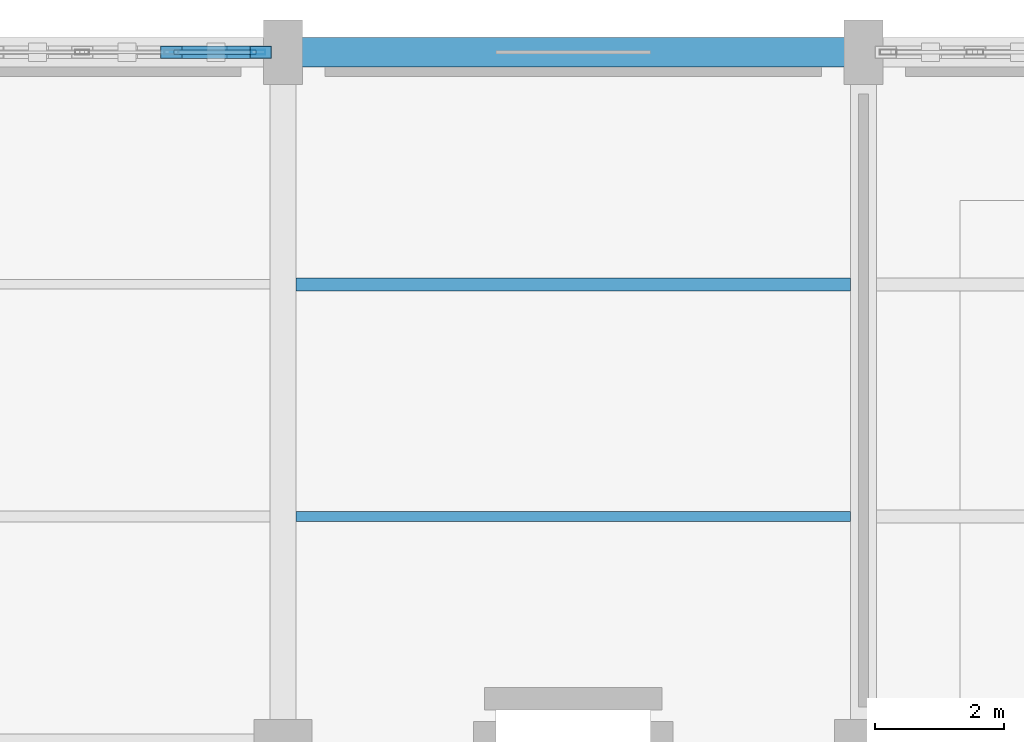
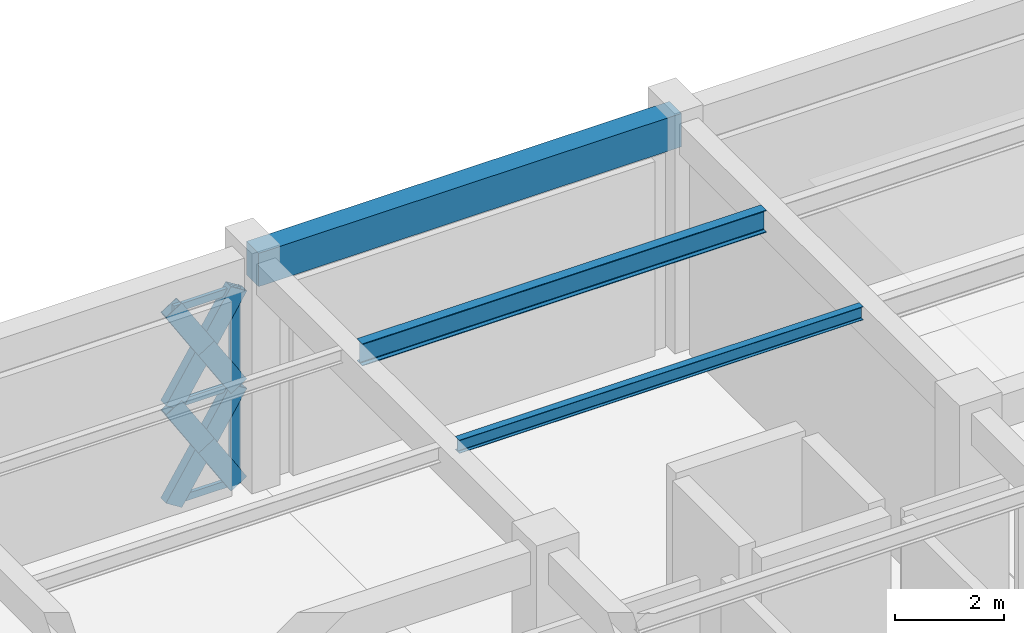
# One storey, part 90 of 166: 10 members, 3 beams, 1 element without a shape of its own.
"""IFC4 building model written with IfcOpenShell, lengths in metres."""

from ifc_helpers import new_model, si_unit, direction, frame, origin, origin_2d, place, context, subcontext, project, spatial, rectangle, hollow_rectangle, i_section, extrude, material, material_profile, profile_set, type_object, element, aggregate, save


model = new_model("IFC4")

# Units and contexts
model_context = context("Model", 3, precision=1e-05, world=origin(), true_north=direction((0.0, 1.0)))
body_context = subcontext(model_context, "Body", "Model", "MODEL_VIEW")
ifc_project = project(units=[si_unit("LENGTHUNIT", "METRE"), si_unit("AREAUNIT", "SQUARE_METRE"), si_unit("VOLUMEUNIT", "CUBIC_METRE"), si_unit("PLANEANGLEUNIT", "RADIAN"), si_unit("MASSUNIT", "GRAM", prefix="KILO")], contexts=[model_context])

# Site, building, storey
site_placement = place(None, origin())
site = spatial("IfcSite", under=ifc_project, at=site_placement, CompositionType="ELEMENT")
building_placement = place(site_placement, origin())
building = spatial("IfcBuilding", under=site, at=building_placement, Name="Haizhuo Lancet Aquarium", CompositionType="ELEMENT")
storey_placement = place(building_placement, frame((0.0, 0.0, 5.39990234375)))
storey = spatial("IfcBuildingStorey", under=building, at=storey_placement, Name="L01", CompositionType="ELEMENT", Elevation=5.39990234375)

# Beam
ifc_material_1 = material(Name="Concrete C40/50", Category="concrete")
ifc_material_profile_1 = material_profile(ifc_material_1, rectangle(XDim=0.449951171875, YDim=0.75, at=origin_2d()), Name="RC-BM 450x750")
ifc_profile_set_1 = profile_set([ifc_material_profile_1], Name="Concrete C40/50")
beam_type_1 = type_object("IfcBeamType", Name="BM-RC-450x750", PredefinedType="BEAM", material=ifc_profile_set_1)
beam_1_placement = place(storey_placement, frame((-9.0, 55.800048828125, 4.76513671875), z_axis=(1.0, 0.0, 0.0), x_axis=(0.0, 1.0, 0.0)))
element("IfcBeam", 1, at=beam_1_placement, inside=storey, type_object=beam_type_1, Name="L01 V5 primary girder BM-L01-V5-015", PredefinedType="BEAM", context=body_context, shape_type="SweptSolid", body=[
    extrude(rectangle(XDim=0.449951171875, YDim=0.75, at=origin_2d()), origin(), (0.0, 0.0, 1.0), 9.0),
])

# Curtain wall, members
ifc_material_2 = material(Name="Aluminium 6063-T6", Category="aluminium")
curtain_wall_type = type_object("IfcCurtainWallType", Name="CWD-8310x4390", PredefinedType="NOTDEFINED", material=ifc_material_2)
curtain_wall_placement = place(storey_placement, origin())
curtain_wall = element("IfcCurtainWall", 2, at=curtain_wall_placement, inside=storey, type_object=curtain_wall_type, Name="L01 curtain wall CW-V5-L01-131", PredefinedType="NOTDEFINED")
ifc_material_profile_2 = material_profile(ifc_material_2, hollow_rectangle(XDim=0.074951171875, YDim=0.219970703125, WallThickness=0.0048828125, at=origin_2d()), Name="ALU-M 75x220x5")
ifc_profile_set_2 = profile_set([ifc_material_profile_2], Name="Aluminium 6063-T6")
member_type_1 = type_object("IfcMemberType", Name="CW-MUL-2", PredefinedType="MULLION", material=ifc_profile_set_2)
member_1_placement = place(storey_placement, frame((-9.383056640625, 55.800048828125, 0.0), z_axis=(0.0, 0.0, 1.0), x_axis=(0.0, 1.0, 0.0)))
member_1 = element("IfcMember", 3, at=member_1_placement, type_object=member_type_1, Name="CWD-83x43 mullion 7", PredefinedType="MULLION", context=body_context, shape_type="SweptSolid", body=[
    extrude(hollow_rectangle(XDim=0.074951171875, YDim=0.219970703125, WallThickness=0.0048828125, at=origin_2d()), origin(), (0.0, 0.0, 1.0), 4.39013671875),
])
ifc_material_profile_3 = material_profile(ifc_material_2, hollow_rectangle(XDim=0.074951171875, YDim=0.159912109375, WallThickness=0.00390625, at=origin_2d()), Name="ALU-T 75x160x4")
ifc_profile_set_3 = profile_set([ifc_material_profile_3], Name="Aluminium 6063-T6")
member_type_2 = type_object("IfcMemberType", Name="CW-TRN-2", PredefinedType="NOTDEFINED", material=ifc_profile_set_3)
member_2_placement = place(storey_placement, frame((-10.693115234375, 55.800048828125, 0.0380859375), z_axis=(1.0, 0.0, 0.0), x_axis=(0.0, 1.0, 0.0)))
member_2 = element("IfcMember", 4, at=member_2_placement, type_object=member_type_2, Name="CWD-83x43 transom 6.1", ObjectType="TRANSOM", PredefinedType="USERDEFINED", context=body_context, shape_type="SweptSolid", body=[
    extrude(hollow_rectangle(XDim=0.074951171875, YDim=0.159912109375, WallThickness=0.00390625, at=origin_2d()), origin(), (0.0, 0.0, 1.0), 1.273193359375),
])
member_3_placement = place(storey_placement, frame((-10.693115234375, 55.800048828125, 2.195068359375), z_axis=(1.0, 0.0, 0.0), x_axis=(0.0, 1.0, 0.0)))
member_3 = element("IfcMember", 5, at=member_3_placement, type_object=member_type_2, Name="CWD-83x43 transom 6.2", ObjectType="TRANSOM", PredefinedType="USERDEFINED", context=body_context, shape_type="SweptSolid", body=[
    extrude(hollow_rectangle(XDim=0.074951171875, YDim=0.159912109375, WallThickness=0.00390625, at=origin_2d()), origin(), (0.0, 0.0, 1.0), 1.273193359375),
])
member_4_placement = place(storey_placement, frame((-10.693115234375, 55.800048828125, 4.35205078125), z_axis=(1.0, 0.0, 0.0), x_axis=(0.0, 1.0, 0.0)))
member_4 = element("IfcMember", 6, at=member_4_placement, type_object=member_type_2, Name="CWD-83x43 transom 6.3", ObjectType="TRANSOM", PredefinedType="USERDEFINED", context=body_context, shape_type="SweptSolid", body=[
    extrude(hollow_rectangle(XDim=0.074951171875, YDim=0.159912109375, WallThickness=0.00390625, at=origin_2d()), origin(), (0.0, 0.0, 1.0), 1.273193359375),
])
aggregate(curtain_wall, [member_1, member_2, member_3, member_4])

# Beams
ifc_material_3 = material(Name="Steel S355", Category="steel")
ifc_material_profile_4 = material_profile(ifc_material_3, i_section(OverallWidth=0.14990234375, OverallDepth=0.300048828125, WebThickness=0.006591796875, FlangeThickness=0.009033203125, FilletRadius=0.012939453125, at=origin_2d()), Name="HN 300x150x6.5x9")
ifc_profile_set_4 = profile_set([ifc_material_profile_4], Name="Steel S355")
beam_type_2 = type_object("IfcBeamType", Name="JST-ST-HN300", PredefinedType="JOIST", material=ifc_profile_set_4)
beam_2_placement = place(storey_placement, frame((-8.800048828125, 48.60009765625, 4.989990234375), z_axis=(1.0, 0.0, 0.0), x_axis=(0.0, 1.0, 0.0)))
element("IfcBeam", 7, at=beam_2_placement, inside=storey, type_object=beam_type_2, Name="L01 V5 secondary floor joist 12", PredefinedType="JOIST", context=body_context, shape_type="SweptSolid", body=[
    extrude(i_section(OverallWidth=0.14990234375, OverallDepth=0.300048828125, WebThickness=0.006591796875, FlangeThickness=0.009033203125, FilletRadius=0.012939453125, at=origin_2d()), origin(), (0.0, 0.0, 1.0), 8.60009765625),
])
ifc_material_profile_5 = material_profile(ifc_material_3, i_section(OverallWidth=0.199951171875, OverallDepth=0.5, WebThickness=0.010009765625, FlangeThickness=0.01611328125, FilletRadius=0.02001953125, at=origin_2d()), Name="HN 500x200x10x16")
ifc_profile_set_5 = profile_set([ifc_material_profile_5], Name="Steel S355")
beam_type_3 = type_object("IfcBeamType", Name="JST-ST-HN500", PredefinedType="JOIST", material=ifc_profile_set_5)
beam_3_placement = place(storey_placement, frame((-8.800048828125, 52.199951171875, 4.89013671875), z_axis=(1.0, 0.0, 0.0), x_axis=(0.0, 1.0, 0.0)))
element("IfcBeam", 8, at=beam_3_placement, inside=storey, type_object=beam_type_3, Name="L01 V5 secondary floor joist 13", PredefinedType="JOIST", context=body_context, shape_type="SweptSolid", body=[
    extrude(i_section(OverallWidth=0.199951171875, OverallDepth=0.5, WebThickness=0.010009765625, FlangeThickness=0.01611328125, FilletRadius=0.02001953125, at=origin_2d()), origin(), (0.0, 0.0, 1.0), 8.60009765625),
])

# Members
ifc_material_profile_6 = material_profile(ifc_material_3, hollow_rectangle(XDim=0.199951171875, YDim=0.39990234375, WallThickness=0.011962890625, at=origin_2d()), Name="RHS 200x400x12")
ifc_profile_set_6 = profile_set([ifc_material_profile_6], Name="Steel S355")
member_type_3 = type_object("IfcMemberType", Name="MEM-LB-RHS200x400", PredefinedType="BRACE", material=ifc_profile_set_6)
member_5_placement = place(storey_placement, frame((-10.72998046875, 55.800048828125, 0.0), z_axis=(0.533621343044, 0.0, 0.845723514068), x_axis=(0.0, 1.0, 0.0)))
element("IfcMember", 9, at=member_5_placement, inside=storey, type_object=member_type_3, Name="Gothic lancet continuous diagonal brace CW-V5-L01-131 11A", PredefinedType="BRACE", context=body_context, shape_type="SweptSolid", body=[
    extrude(hollow_rectangle(XDim=0.199951171875, YDim=0.39990234375, WallThickness=0.011962890625, at=origin_2d()), origin(), (0.0, 0.0, 1.0), 2.595458984375),
])
member_6_placement = place(storey_placement, frame((-9.344970703125, 55.800048828125, 0.0), z_axis=(-0.533745397925, 0.0, 0.845645227146), x_axis=(0.0, -1.0, 0.0)))
element("IfcMember", 10, at=member_6_placement, inside=storey, type_object=member_type_3, Name="Gothic lancet split diagonal brace CW-V5-L01-131 11B1", PredefinedType="BRACE", context=body_context, shape_type="SweptSolid", body=[
    extrude(hollow_rectangle(XDim=0.199951171875, YDim=0.39990234375, WallThickness=0.011962890625, at=origin_2d()), origin(), (0.0, 0.0, 1.0), 1.298583984375),
])
member_7_placement = place(storey_placement, frame((-10.0380859375, 55.800048828125, 1.09814453125), z_axis=(-0.533497115598, 0.0, 0.845801884397), x_axis=(0.0, -1.0, 0.0)))
element("IfcMember", 11, at=member_7_placement, inside=storey, type_object=member_type_3, Name="Gothic lancet split diagonal brace CW-V5-L01-131 11B2", PredefinedType="BRACE", context=body_context, shape_type="SweptSolid", body=[
    extrude(hollow_rectangle(XDim=0.199951171875, YDim=0.39990234375, WallThickness=0.011962890625, at=origin_2d()), origin(), (0.0, 0.0, 1.0), 1.296875),
])
member_8_placement = place(storey_placement, frame((-10.72998046875, 55.800048828125, 2.195068359375), z_axis=(0.533621343044, 0.0, 0.845723514068), x_axis=(0.0, 1.0, 0.0)))
element("IfcMember", 12, at=member_8_placement, inside=storey, type_object=member_type_3, Name="Gothic lancet continuous diagonal brace CW-V5-L01-131 12A", PredefinedType="BRACE", context=body_context, shape_type="SweptSolid", body=[
    extrude(hollow_rectangle(XDim=0.199951171875, YDim=0.39990234375, WallThickness=0.011962890625, at=origin_2d()), origin(), (0.0, 0.0, 1.0), 2.595458984375),
])
member_9_placement = place(storey_placement, frame((-9.344970703125, 55.800048828125, 2.195068359375), z_axis=(-0.534169956473, 0.0, 0.845377109698), x_axis=(0.0, -1.0, 0.0)))
element("IfcMember", 13, at=member_9_placement, inside=storey, type_object=member_type_3, Name="Gothic lancet split diagonal brace CW-V5-L01-131 12B1", PredefinedType="BRACE", context=body_context, shape_type="SweptSolid", body=[
    extrude(hollow_rectangle(XDim=0.199951171875, YDim=0.39990234375, WallThickness=0.011962890625, at=origin_2d()), origin(), (0.0, 0.0, 1.0), 1.297607421875),
])
member_10_placement = place(storey_placement, frame((-10.0380859375, 55.800048828125, 3.2919921875), z_axis=(-0.533072666109, 0.0, 0.846069460888), x_axis=(0.0, -1.0, 0.0)))
element("IfcMember", 14, at=member_10_placement, inside=storey, type_object=member_type_3, Name="Gothic lancet split diagonal brace CW-V5-L01-131 12B2", PredefinedType="BRACE", context=body_context, shape_type="SweptSolid", body=[
    extrude(hollow_rectangle(XDim=0.199951171875, YDim=0.39990234375, WallThickness=0.011962890625, at=origin_2d()), origin(), (0.0, 0.0, 1.0), 1.2978515625),
])

save(model, "model.ifc")
